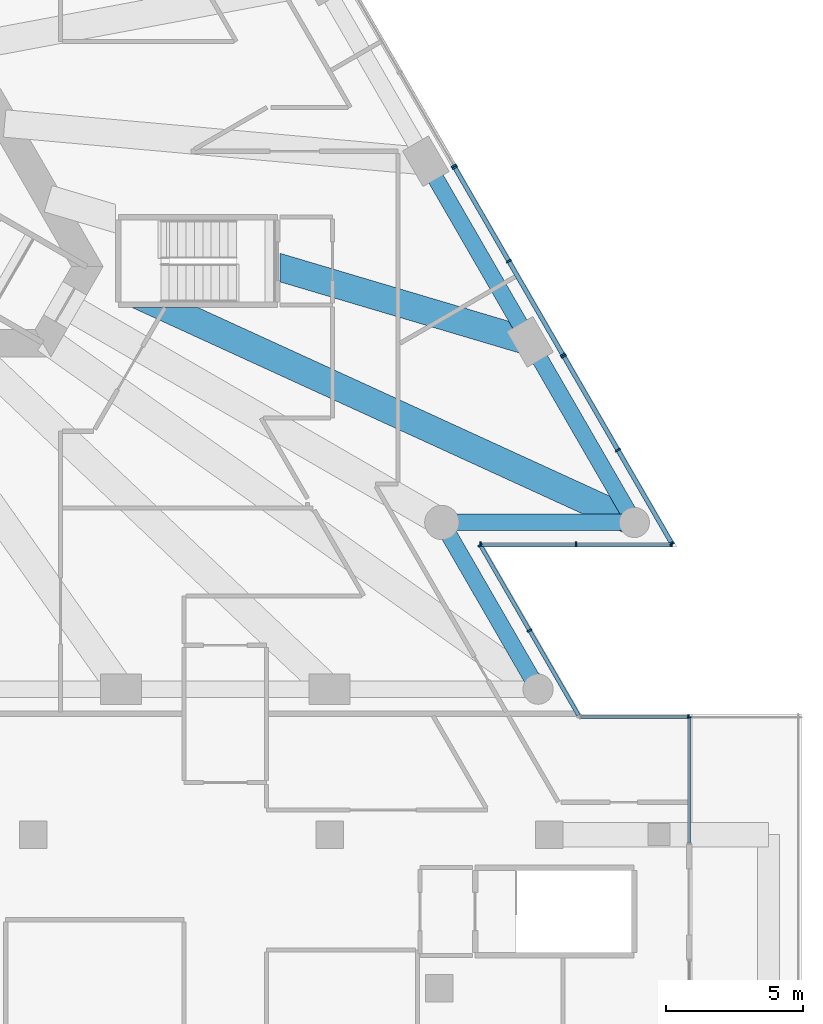
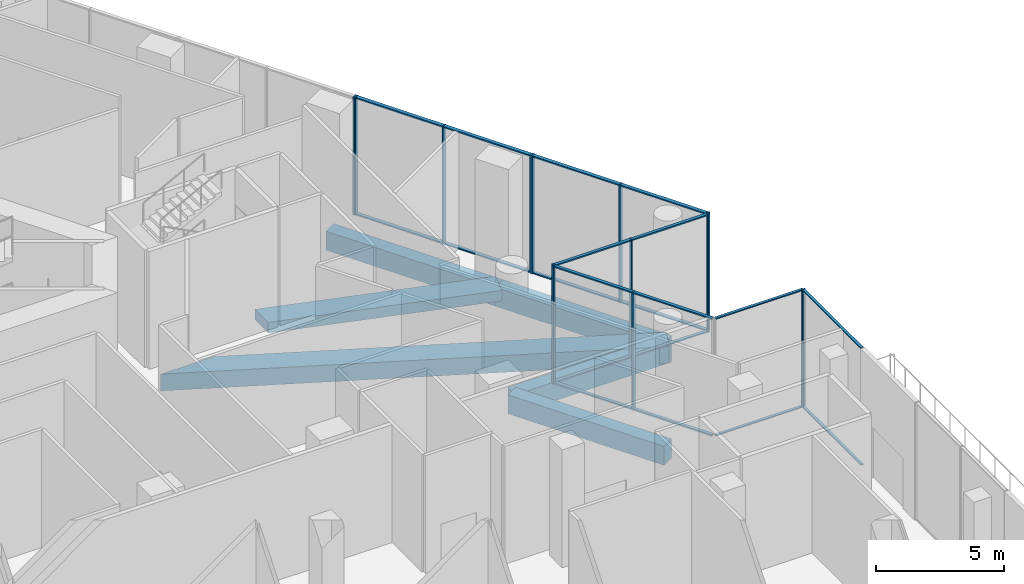
# One storey, part 14 of 36: 34 members, 6 beams, 7 elements without a shape of their own.
"""IFC4 building model written with IfcOpenShell, lengths in metres."""

from ifc_helpers import new_model, si_unit, direction, frame, origin, origin_2d, place, context, subcontext, project, spatial, rectangle, extrude, clip, halfspace, material, layer, layer_set, material_profile, profile_set, type_object, element, aggregate, save


model = new_model("IFC4")

# Units and contexts
model_context = context("Model", 3, precision=1e-05, world=origin(), true_north=direction((0.0, 1.0)))
body_context = subcontext(model_context, "Body", "Model", "MODEL_VIEW")
ifc_project = project(units=[si_unit("LENGTHUNIT", "METRE"), si_unit("AREAUNIT", "SQUARE_METRE"), si_unit("VOLUMEUNIT", "CUBIC_METRE"), si_unit("PLANEANGLEUNIT", "RADIAN"), si_unit("MASSUNIT", "GRAM", prefix="KILO")], contexts=[model_context])

# Site, building, storey
site_placement = place(None, origin())
site = spatial("IfcSite", under=ifc_project, at=site_placement, CompositionType="ELEMENT")
building_placement = place(site_placement, origin())
building = spatial("IfcBuilding", under=site, at=building_placement, Name="Triada Interchange Tower", CompositionType="ELEMENT")
storey_placement = place(building_placement, frame((0.0, 0.0, 8.5)))
storey = spatial("IfcBuildingStorey", under=building, at=storey_placement, Name="L01", CompositionType="ELEMENT", Elevation=8.5)

# Curtain wall, members
ifc_material_1 = material(Name="Aluminium framed glazing", Category="aluminium")
ifc_layer_1 = layer(ifc_material_1, 0.199951171875)
ifc_layer_set_1 = layer_set([ifc_layer_1], Name="Curtain wall Concourse glazed screen")
curtain_wall_type_1 = type_object("IfcCurtainWallType", Name="Curtain wall Concourse glazed screen", PredefinedType="NOTDEFINED", material=ifc_layer_set_1)
curtain_wall_1_placement = place(storey_placement, origin())
curtain_wall_1 = element("IfcCurtainWall", 1, at=curtain_wall_1_placement, inside=storey, type_object=curtain_wall_type_1, Name="Concourse glazed screen CW017 L01", PredefinedType="NOTDEFINED")
ifc_material_2 = material(Name="Aluminium", Category="aluminium")
ifc_material_profile_1 = material_profile(ifc_material_2, rectangle(XDim=0.199951171875, YDim=0.06005859375, at=origin_2d()), Name="Aluminium mullion")
ifc_profile_set_1 = profile_set([ifc_material_profile_1], Name="Aluminium")
member_type_1 = type_object("IfcMemberType", Name="Mullion Concourse glazed screen 200x60", PredefinedType="MULLION", material=ifc_profile_set_1)
member_1_placement = place(storey_placement, frame((35.276123046875, -16.299072265625, 0.0), z_axis=(0.0, 0.0, 1.0), x_axis=(-0.86604927658, -0.499958648825, 0.0)))
member_1 = element("IfcMember", 2, at=member_1_placement, type_object=member_type_1, Name="CW017 mullion 1", PredefinedType="MULLION", context=body_context, shape_type="SweptSolid", body=[
    extrude(rectangle(XDim=0.199951171875, YDim=0.06005859375, at=origin_2d()), origin(), (0.0, 0.0, 1.0), 5.60009765625),
])
member_2_placement = place(storey_placement, frame((33.305908203125, -12.886474609375, 0.0), z_axis=(0.0, 0.0, 1.0), x_axis=(-0.86604927658, -0.499958648825, 0.0)))
member_2 = element("IfcMember", 3, at=member_2_placement, type_object=member_type_1, Name="CW017 mullion 2", PredefinedType="MULLION", context=body_context, shape_type="SweptSolid", body=[
    extrude(rectangle(XDim=0.199951171875, YDim=0.06005859375, at=origin_2d()), origin(), (0.0, 0.0, 1.0), 5.60009765625),
])
member_3_placement = place(storey_placement, frame((31.3359375, -9.473876953125, 0.0), z_axis=(0.0, 0.0, 1.0), x_axis=(-0.86604927658, -0.499958648825, 0.0)))
member_3 = element("IfcMember", 4, at=member_3_placement, type_object=member_type_1, Name="CW017 mullion 3", PredefinedType="MULLION", context=body_context, shape_type="SweptSolid", body=[
    extrude(rectangle(XDim=0.199951171875, YDim=0.06005859375, at=origin_2d()), origin(), (0.0, 0.0, 1.0), 5.60009765625),
])

curtain_wall_2_placement = place(storey_placement, origin())
curtain_wall_2 = element("IfcCurtainWall", 5, at=curtain_wall_2_placement, inside=storey, type_object=curtain_wall_type_1, Name="Concourse glazed screen CW018 L01", PredefinedType="NOTDEFINED")
member_4_placement = place(storey_placement, frame((31.300048828125, -9.4130859375, 0.0), z_axis=(0.0, 0.0, 1.0), x_axis=(-0.866055473648, -0.499947913852, 0.0)))
member_4 = element("IfcMember", 6, at=member_4_placement, type_object=member_type_1, Name="CW018 mullion 1", PredefinedType="MULLION", context=body_context, shape_type="SweptSolid", body=[
    extrude(rectangle(XDim=0.199951171875, YDim=0.06005859375, at=origin_2d()), origin(), (0.0, 0.0, 1.0), 5.60009765625),
])
member_5_placement = place(storey_placement, frame((29.33154296875, -6.0029296875, 0.0), z_axis=(0.0, 0.0, 1.0), x_axis=(-0.866055473648, -0.499947913852, 0.0)))
member_5 = element("IfcMember", 7, at=member_5_placement, type_object=member_type_1, Name="CW018 mullion 2", PredefinedType="MULLION", context=body_context, shape_type="SweptSolid", body=[
    extrude(rectangle(XDim=0.199951171875, YDim=0.06005859375, at=origin_2d()), origin(), (0.0, 0.0, 1.0), 5.60009765625),
])
member_6_placement = place(storey_placement, frame((27.363037109375, -2.593017578125, 0.0), z_axis=(0.0, 0.0, 1.0), x_axis=(-0.866055473648, -0.499947913852, 0.0)))
member_6 = element("IfcMember", 8, at=member_6_placement, type_object=member_type_1, Name="CW018 mullion 3", PredefinedType="MULLION", context=body_context, shape_type="SweptSolid", body=[
    extrude(rectangle(XDim=0.199951171875, YDim=0.06005859375, at=origin_2d()), origin(), (0.0, 0.0, 1.0), 5.60009765625),
])

# Curtain wall, member
curtain_wall_3_placement = place(storey_placement, origin())
curtain_wall_3 = element("IfcCurtainWall", 9, at=curtain_wall_3_placement, inside=storey, type_object=curtain_wall_type_1, Name="Concourse glazed screen CW019 L01", PredefinedType="NOTDEFINED")
member_7_placement = place(storey_placement, frame((27.326904296875, -2.531982421875, 0.0), z_axis=(0.0, 0.0, 1.0), x_axis=(-0.866055473648, -0.499947913852, 0.0)))
member_7 = element("IfcMember", 10, at=member_7_placement, type_object=member_type_1, Name="CW019 mullion 1", PredefinedType="MULLION", context=body_context, shape_type="SweptSolid", body=[
    extrude(rectangle(XDim=0.199951171875, YDim=0.06005859375, at=origin_2d()), origin(), (0.0, 0.0, 1.0), 5.60009765625),
])
aggregate(curtain_wall_3, [member_7])

ifc_layer_2 = layer(ifc_material_1, 0.199951171875)
ifc_layer_set_2 = layer_set([ifc_layer_2], Name="Curtain wall Retail shopfront")
curtain_wall_type_2 = type_object("IfcCurtainWallType", Name="Curtain wall Retail shopfront", PredefinedType="NOTDEFINED", material=ifc_layer_set_2)
curtain_wall_4_placement = place(storey_placement, origin())
curtain_wall_4 = element("IfcCurtainWall", 11, at=curtain_wall_4_placement, inside=storey, type_object=curtain_wall_type_2, Name="Retail shopfront CW013 L01", PredefinedType="NOTDEFINED")
ifc_material_profile_2 = material_profile(ifc_material_2, rectangle(XDim=0.14990234375, YDim=0.050048828125, at=origin_2d()), Name="Aluminium mullion")
ifc_profile_set_2 = profile_set([ifc_material_profile_2], Name="Aluminium")
member_type_2 = type_object("IfcMemberType", Name="Mullion Retail shopfront 150x50", PredefinedType="MULLION", material=ifc_profile_set_2)
member_8_placement = place(storey_placement, frame((35.89990234375, -22.625, 0.0), z_axis=(0.0, 0.0, 1.0), x_axis=(-1.0, 0.0, 0.0)))
member_8 = element("IfcMember", 12, at=member_8_placement, type_object=member_type_2, Name="CW013 mullion 2", PredefinedType="MULLION", context=body_context, shape_type="SweptSolid", body=[
    extrude(rectangle(XDim=0.14990234375, YDim=0.050048828125, at=origin_2d()), origin(), (0.0, 0.0, 1.0), 5.60009765625),
])

curtain_wall_5_placement = place(storey_placement, origin())
curtain_wall_5 = element("IfcCurtainWall", 13, at=curtain_wall_5_placement, inside=storey, type_object=curtain_wall_type_2, Name="Retail shopfront CW014 L01", PredefinedType="NOTDEFINED")
member_9_placement = place(storey_placement, frame((35.875, -22.60009765625, 0.0), z_axis=(0.0, 0.0, 1.0), x_axis=(0.0, -1.0, 0.0)))
member_9 = element("IfcMember", 14, at=member_9_placement, type_object=member_type_2, Name="CW014 mullion 1", PredefinedType="MULLION", context=body_context, shape_type="SweptSolid", body=[
    extrude(rectangle(XDim=0.14990234375, YDim=0.050048828125, at=origin_2d()), origin(), (0.0, 0.0, 1.0), 5.60009765625),
])

# Curtain wall, members
ifc_layer_3 = layer(ifc_material_1, 0.199951171875)
ifc_layer_set_3 = layer_set([ifc_layer_3], Name="Curtain wall Tower lobby glazing")
curtain_wall_type_3 = type_object("IfcCurtainWallType", Name="Curtain wall Tower lobby glazing", PredefinedType="NOTDEFINED", material=ifc_layer_set_3)
curtain_wall_6_placement = place(storey_placement, origin())
curtain_wall_6 = element("IfcCurtainWall", 15, at=curtain_wall_6_placement, inside=storey, type_object=curtain_wall_type_3, Name="Tower lobby glazing CW015 L01", PredefinedType="NOTDEFINED")
ifc_material_profile_3 = material_profile(ifc_material_2, rectangle(XDim=0.179931640625, YDim=0.06005859375, at=origin_2d()), Name="Aluminium mullion")
ifc_profile_set_3 = profile_set([ifc_material_profile_3], Name="Aluminium")
member_type_3 = type_object("IfcMemberType", Name="Mullion Tower lobby glazing 180x60", PredefinedType="MULLION", material=ifc_profile_set_3)
member_10_placement = place(storey_placement, frame((30.0869140625, -19.46240234375, 0.0), z_axis=(0.0, 0.0, 1.0), x_axis=(-0.866077569894, -0.499909634761, 0.0)))
member_10 = element("IfcMember", 16, at=member_10_placement, type_object=member_type_3, Name="CW015 mullion 2", PredefinedType="MULLION", context=body_context, shape_type="SweptSolid", body=[
    extrude(rectangle(XDim=0.179931640625, YDim=0.06005859375, at=origin_2d()), origin(), (0.0, 0.0, 1.0), 5.60009765625),
])
member_11_placement = place(storey_placement, frame((28.291015625, -16.35107421875, 0.0), z_axis=(0.0, 0.0, 1.0), x_axis=(-0.866077569894, -0.499909634761, 0.0)))
member_11 = element("IfcMember", 17, at=member_11_placement, type_object=member_type_3, Name="CW015 mullion 3", PredefinedType="MULLION", context=body_context, shape_type="SweptSolid", body=[
    extrude(rectangle(XDim=0.179931640625, YDim=0.06005859375, at=origin_2d()), origin(), (0.0, 0.0, 1.0), 5.60009765625),
])

curtain_wall_7_placement = place(storey_placement, origin())
curtain_wall_7 = element("IfcCurtainWall", 18, at=curtain_wall_7_placement, inside=storey, type_object=curtain_wall_type_3, Name="Tower lobby glazing CW016 L01", PredefinedType="NOTDEFINED")
member_12_placement = place(storey_placement, frame((28.305908203125, -16.324951171875, 0.0), z_axis=(0.0, 0.0, 1.0), x_axis=(0.0, 1.0, 0.0)))
member_12 = element("IfcMember", 19, at=member_12_placement, type_object=member_type_3, Name="CW016 mullion 1", PredefinedType="MULLION", context=body_context, shape_type="SweptSolid", body=[
    extrude(rectangle(XDim=0.179931640625, YDim=0.06005859375, at=origin_2d()), origin(), (0.0, 0.0, 1.0), 5.60009765625),
])
member_13_placement = place(storey_placement, frame((31.783447265625, -16.324951171875, 0.0), z_axis=(0.0, 0.0, 1.0), x_axis=(0.0, 1.0, 0.0)))
member_13 = element("IfcMember", 20, at=member_13_placement, type_object=member_type_3, Name="CW016 mullion 2", PredefinedType="MULLION", context=body_context, shape_type="SweptSolid", body=[
    extrude(rectangle(XDim=0.179931640625, YDim=0.06005859375, at=origin_2d()), origin(), (0.0, 0.0, 1.0), 5.60009765625),
])
member_14_placement = place(storey_placement, frame((35.260986328125, -16.324951171875, 0.0), z_axis=(0.0, 0.0, 1.0), x_axis=(0.0, 1.0, 0.0)))
member_14 = element("IfcMember", 21, at=member_14_placement, type_object=member_type_3, Name="CW016 mullion 3", PredefinedType="MULLION", context=body_context, shape_type="SweptSolid", body=[
    extrude(rectangle(XDim=0.179931640625, YDim=0.06005859375, at=origin_2d()), origin(), (0.0, 0.0, 1.0), 5.60009765625),
])

# Beams
ifc_material_3 = material(Name="Concrete C50/60", Category="concrete")
ifc_material_profile_4 = material_profile(ifc_material_3, rectangle(XDim=1.0, YDim=0.5, at=origin_2d()), Name="RC 1000x500")
ifc_profile_set_4 = profile_set([ifc_material_profile_4], Name="Concrete C50/60")
beam_type_1 = type_object("IfcBeamType", Name="Radial band beam P RC 1000x500", PredefinedType="BEAM", material=ifc_profile_set_4)
beam_1_placement = place(storey_placement, frame((30.10498046875, -8.944091796875, -0.64990234375), z_axis=(-0.958593857604, 0.284776783049, 0.0), x_axis=(-0.284776783049, -0.958593857604, 0.0)))
element("IfcBeam", 22, at=beam_1_placement, inside=storey, type_object=beam_type_1, Name="Radial band beam BP22A L01", PredefinedType="BEAM", context=body_context, shape_type="Clipping", body=[
    clip(extrude(rectangle(XDim=1.0, YDim=0.5, at=origin_2d()), origin(), (0.0, 0.0, 1.0), 10.998291015625), halfspace(frame((-1.85888671875, -7.85009765625, 10.050537109375), z_axis=(0.284776783049, 0.0, 0.958593857604), x_axis=(0.0, -1.0, 0.0)), False)),
])
ifc_material_profile_5 = material_profile(ifc_material_3, rectangle(XDim=1.0, YDim=0.800048828125, at=origin_2d()), Name="RC 1000x800")
ifc_profile_set_5 = profile_set([ifc_material_profile_5], Name="Concrete C50/60")
beam_type_2 = type_object("IfcBeamType", Name="Radial band beam P RC 1000x800", PredefinedType="BEAM", material=ifc_profile_set_5)
beam_2_placement = place(storey_placement, frame((33.905029296875, -15.52490234375, -0.800048828125), z_axis=(-0.909200707798, 0.41635810661, 0.0), x_axis=(-0.41635810661, -0.909200707798, 0.0)))
element("IfcBeam", 23, at=beam_2_placement, inside=storey, type_object=beam_type_2, Name="Radial band beam BP21A L01", PredefinedType="BEAM", context=body_context, shape_type="Clipping", body=[
    clip(extrude(rectangle(XDim=1.0, YDim=0.800048828125, at=origin_2d()), origin(), (0.0, 0.0, 1.0), 20.294921875), halfspace(frame((-1.741455078125, -7.699951171875, 14.9912109375), z_axis=(-0.909200707798, 0.0, 0.41635810661), x_axis=(0.0, 1.0, 0.0)), False)),
])
ifc_material_profile_6 = material_profile(ifc_material_3, rectangle(XDim=0.60009765625, YDim=0.89990234375, at=origin_2d()), Name="RC 600x900")
ifc_profile_set_6 = profile_set([ifc_material_profile_6], Name="Concrete C50/60")
beam_type_3 = type_object("IfcBeamType", Name="Spandrel beam P RC 600x900", PredefinedType="BEAM", material=ifc_profile_set_6)
beam_3_placement = place(storey_placement, frame((30.39697265625, -21.60009765625, -0.85009765625), z_axis=(-0.499953429515, 0.866052289597, 0.0), x_axis=(-0.866052289597, -0.499953429515, 0.0)))
element("IfcBeam", 24, at=beam_3_placement, inside=storey, type_object=beam_type_3, Name="Spandrel beam EP19 L01", PredefinedType="BEAM", context=body_context, shape_type="SweptSolid", body=[
    extrude(rectangle(XDim=0.60009765625, YDim=0.89990234375, at=origin_2d()), origin(), (0.0, 0.0, 1.0), 7.014892578125),
])
beam_4_placement = place(storey_placement, frame((26.889892578125, -15.52490234375, -0.85009765625), z_axis=(1.0, 0.0, 0.0), x_axis=(0.0, 1.0, 0.0)))
element("IfcBeam", 25, at=beam_4_placement, inside=storey, type_object=beam_type_3, Name="Spandrel beam EP20 L01", PredefinedType="BEAM", context=body_context, shape_type="SweptSolid", body=[
    extrude(rectangle(XDim=0.60009765625, YDim=0.89990234375, at=origin_2d()), origin(), (0.0, 0.0, 1.0), 7.01513671875),
])
beam_5_placement = place(storey_placement, frame((33.905029296875, -15.52490234375, -0.85009765625), z_axis=(-0.500060803479, 0.865990296034, 0.0), x_axis=(-0.865990296034, -0.500060803479, 0.0)))
element("IfcBeam", 26, at=beam_5_placement, inside=storey, type_object=beam_type_3, Name="Spandrel beam EP21 L01", PredefinedType="BEAM", context=body_context, shape_type="SweptSolid", body=[
    extrude(rectangle(XDim=0.60009765625, YDim=0.89990234375, at=origin_2d()), origin(), (0.0, 0.0, 1.0), 7.59912109375),
])
beam_6_placement = place(storey_placement, frame((30.10498046875, -8.944091796875, -0.85009765625), z_axis=(-0.499950508799, 0.866053975657, 0.0), x_axis=(-0.866053975657, -0.499950508799, 0.0)))
element("IfcBeam", 27, at=beam_6_placement, inside=storey, type_object=beam_type_3, Name="Spandrel beam EP22 L01", PredefinedType="BEAM", context=body_context, shape_type="SweptSolid", body=[
    extrude(rectangle(XDim=0.60009765625, YDim=0.89990234375, at=origin_2d()), origin(), (0.0, 0.0, 1.0), 7.598876953125),
])

# Member
ifc_material_profile_7 = material_profile(ifc_material_2, rectangle(XDim=0.159912109375, YDim=0.06005859375, at=origin_2d()), Name="Aluminium transom")
ifc_profile_set_7 = profile_set([ifc_material_profile_7], Name="Aluminium")
member_type_4 = type_object("IfcMemberType", Name="Transom Concourse glazed screen 160x60", PredefinedType="USERDEFINED", material=ifc_profile_set_7)
member_15_placement = place(storey_placement, frame((35.260986328125, -16.27294921875, 0.030029296875), z_axis=(-0.499969367985, 0.866043088465, 0.0), x_axis=(-0.866043088465, -0.499969367985, 0.0)))
member_15 = element("IfcMember", 28, at=member_15_placement, type_object=member_type_4, Name="CW017 transom 1.1", ObjectType="TRANSOM", PredefinedType="USERDEFINED", context=body_context, shape_type="SweptSolid", body=[
    extrude(rectangle(XDim=0.159912109375, YDim=0.06005859375, at=origin_2d()), origin(), (0.0, 0.0, 1.0), 3.880126953125),
])

member_16_placement = place(storey_placement, frame((35.260986328125, -16.27294921875, 5.570068359375), z_axis=(-0.499969367985, 0.866043088465, 0.0), x_axis=(-0.866043088465, -0.499969367985, 0.0)))
member_16 = element("IfcMember", 29, at=member_16_placement, type_object=member_type_4, Name="CW017 transom 1.2", ObjectType="TRANSOM", PredefinedType="USERDEFINED", context=body_context, shape_type="SweptSolid", body=[
    extrude(rectangle(XDim=0.159912109375, YDim=0.06005859375, at=origin_2d()), origin(), (0.0, 0.0, 1.0), 3.880126953125),
])

member_17_placement = place(storey_placement, frame((33.291015625, -12.860595703125, 0.030029296875), z_axis=(-0.499942124791, 0.866058815473, 0.0), x_axis=(-0.866058815473, -0.499942124791, 0.0)))
member_17 = element("IfcMember", 30, at=member_17_placement, type_object=member_type_4, Name="CW017 transom 2.1", ObjectType="TRANSOM", PredefinedType="USERDEFINED", context=body_context, shape_type="SweptSolid", body=[
    extrude(rectangle(XDim=0.159912109375, YDim=0.06005859375, at=origin_2d()), origin(), (0.0, 0.0, 1.0), 3.88037109375),
])

member_18_placement = place(storey_placement, frame((33.291015625, -12.860595703125, 5.570068359375), z_axis=(-0.499942124791, 0.866058815473, 0.0), x_axis=(-0.866058815473, -0.499942124791, 0.0)))
member_18 = element("IfcMember", 31, at=member_18_placement, type_object=member_type_4, Name="CW017 transom 2.2", ObjectType="TRANSOM", PredefinedType="USERDEFINED", context=body_context, shape_type="SweptSolid", body=[
    extrude(rectangle(XDim=0.159912109375, YDim=0.06005859375, at=origin_2d()), origin(), (0.0, 0.0, 1.0), 3.88037109375),
])

aggregate(curtain_wall_1, [member_1, member_2, member_3, member_15, member_16, member_17, member_18])

member_19_placement = place(storey_placement, frame((31.284912109375, -9.386962890625, 0.030029296875), z_axis=(-0.499958648831, 0.866049276577, 0.0), x_axis=(-0.866049276577, -0.499958648831, 0.0)))
member_19 = element("IfcMember", 32, at=member_19_placement, type_object=member_type_4, Name="CW018 transom 1.1", ObjectType="TRANSOM", PredefinedType="USERDEFINED", context=body_context, shape_type="SweptSolid", body=[
    extrude(rectangle(XDim=0.159912109375, YDim=0.06005859375, at=origin_2d()), origin(), (0.0, 0.0, 1.0), 3.877197265625),
])

member_20_placement = place(storey_placement, frame((31.284912109375, -9.386962890625, 5.570068359375), z_axis=(-0.499958648831, 0.866049276577, 0.0), x_axis=(-0.866049276577, -0.499958648831, 0.0)))
member_20 = element("IfcMember", 33, at=member_20_placement, type_object=member_type_4, Name="CW018 transom 1.2", ObjectType="TRANSOM", PredefinedType="USERDEFINED", context=body_context, shape_type="SweptSolid", body=[
    extrude(rectangle(XDim=0.159912109375, YDim=0.06005859375, at=origin_2d()), origin(), (0.0, 0.0, 1.0), 3.877197265625),
])

member_21_placement = place(storey_placement, frame((29.31640625, -5.97705078125, 0.030029296875), z_axis=(-0.499931386026, 0.866065014457, 0.0), x_axis=(-0.866065014457, -0.499931386026, 0.0)))
member_21 = element("IfcMember", 34, at=member_21_placement, type_object=member_type_4, Name="CW018 transom 2.1", ObjectType="TRANSOM", PredefinedType="USERDEFINED", context=body_context, shape_type="SweptSolid", body=[
    extrude(rectangle(XDim=0.159912109375, YDim=0.06005859375, at=origin_2d()), origin(), (0.0, 0.0, 1.0), 3.87744140625),
])

member_22_placement = place(storey_placement, frame((29.31640625, -5.97705078125, 5.570068359375), z_axis=(-0.499931386026, 0.866065014457, 0.0), x_axis=(-0.866065014457, -0.499931386026, 0.0)))
member_22 = element("IfcMember", 35, at=member_22_placement, type_object=member_type_4, Name="CW018 transom 2.2", ObjectType="TRANSOM", PredefinedType="USERDEFINED", context=body_context, shape_type="SweptSolid", body=[
    extrude(rectangle(XDim=0.159912109375, YDim=0.06005859375, at=origin_2d()), origin(), (0.0, 0.0, 1.0), 3.87744140625),
])

aggregate(curtain_wall_2, [member_4, member_5, member_6, member_19, member_20, member_21, member_22])

ifc_material_profile_8 = material_profile(ifc_material_2, rectangle(XDim=0.1201171875, YDim=0.050048828125, at=origin_2d()), Name="Aluminium transom")
ifc_profile_set_8 = profile_set([ifc_material_profile_8], Name="Aluminium")
member_type_5 = type_object("IfcMemberType", Name="Transom Retail shopfront 120x50", PredefinedType="USERDEFINED", material=ifc_profile_set_8)
member_23_placement = place(storey_placement, frame((35.89990234375, -27.199951171875, 0.02490234375), z_axis=(0.0, 1.0, 0.0), x_axis=(-1.0, 0.0, 0.0)))
member_23 = element("IfcMember", 36, at=member_23_placement, type_object=member_type_5, Name="CW013 transom 1.1", ObjectType="TRANSOM", PredefinedType="USERDEFINED", context=body_context, shape_type="SweptSolid", body=[
    extrude(rectangle(XDim=0.1201171875, YDim=0.050048828125, at=origin_2d()), origin(), (0.0, 0.0, 1.0), 4.550048828125),
])

member_24_placement = place(storey_placement, frame((35.89990234375, -27.199951171875, 5.574951171875), z_axis=(0.0, 1.0, 0.0), x_axis=(-1.0, 0.0, 0.0)))
member_24 = element("IfcMember", 37, at=member_24_placement, type_object=member_type_5, Name="CW013 transom 1.2", ObjectType="TRANSOM", PredefinedType="USERDEFINED", context=body_context, shape_type="SweptSolid", body=[
    extrude(rectangle(XDim=0.1201171875, YDim=0.050048828125, at=origin_2d()), origin(), (0.0, 0.0, 1.0), 4.550048828125),
])

aggregate(curtain_wall_4, [member_8, member_23, member_24])

member_25_placement = place(storey_placement, frame((35.85009765625, -22.60009765625, 0.02490234375), z_axis=(-1.0, 0.0, 0.0), x_axis=(0.0, -1.0, 0.0)))
member_25 = element("IfcMember", 38, at=member_25_placement, type_object=member_type_5, Name="CW014 transom 1.1", ObjectType="TRANSOM", PredefinedType="USERDEFINED", context=body_context, shape_type="SweptSolid", body=[
    extrude(rectangle(XDim=0.1201171875, YDim=0.050048828125, at=origin_2d()), origin(), (0.0, 0.0, 1.0), 3.902099609375),
])

member_26_placement = place(storey_placement, frame((35.85009765625, -22.60009765625, 5.574951171875), z_axis=(-1.0, 0.0, 0.0), x_axis=(0.0, -1.0, 0.0)))
member_26 = element("IfcMember", 39, at=member_26_placement, type_object=member_type_5, Name="CW014 transom 1.2", ObjectType="TRANSOM", PredefinedType="USERDEFINED", context=body_context, shape_type="SweptSolid", body=[
    extrude(rectangle(XDim=0.1201171875, YDim=0.050048828125, at=origin_2d()), origin(), (0.0, 0.0, 1.0), 3.902099609375),
])

aggregate(curtain_wall_5, [member_9, member_25, member_26])

ifc_material_profile_9 = material_profile(ifc_material_2, rectangle(XDim=0.139892578125, YDim=0.06005859375, at=origin_2d()), Name="Aluminium transom")
ifc_profile_set_9 = profile_set([ifc_material_profile_9], Name="Aluminium")
member_type_6 = type_object("IfcMemberType", Name="Transom Tower lobby glazing 140x60", PredefinedType="USERDEFINED", material=ifc_profile_set_9)
member_27_placement = place(storey_placement, frame((31.867919921875, -22.548095703125, 0.030029296875), z_axis=(-0.499878002131, 0.866095827831, 0.0), x_axis=(-0.866095827831, -0.499878002131, 0.0)))
member_27 = element("IfcMember", 40, at=member_27_placement, type_object=member_type_6, Name="CW015 transom 1.1", ObjectType="TRANSOM", PredefinedType="USERDEFINED", context=body_context, shape_type="SweptSolid", body=[
    extrude(rectangle(XDim=0.139892578125, YDim=0.06005859375, at=origin_2d()), origin(), (0.0, 0.0, 1.0), 3.53271484375),
])

member_28_placement = place(storey_placement, frame((31.867919921875, -22.548095703125, 5.570068359375), z_axis=(-0.499878002131, 0.866095827831, 0.0), x_axis=(-0.866095827831, -0.499878002131, 0.0)))
member_28 = element("IfcMember", 41, at=member_28_placement, type_object=member_type_6, Name="CW015 transom 1.2", ObjectType="TRANSOM", PredefinedType="USERDEFINED", context=body_context, shape_type="SweptSolid", body=[
    extrude(rectangle(XDim=0.139892578125, YDim=0.06005859375, at=origin_2d()), origin(), (0.0, 0.0, 1.0), 3.53271484375),
])

member_29_placement = place(storey_placement, frame((30.072021484375, -19.4365234375, 0.030029296875), z_axis=(-0.499929840932, 0.866065906352, 0.0), x_axis=(-0.866065906352, -0.499929840932, 0.0)))
member_29 = element("IfcMember", 42, at=member_29_placement, type_object=member_type_6, Name="CW015 transom 2.1", ObjectType="TRANSOM", PredefinedType="USERDEFINED", context=body_context, shape_type="SweptSolid", body=[
    extrude(rectangle(XDim=0.139892578125, YDim=0.06005859375, at=origin_2d()), origin(), (0.0, 0.0, 1.0), 3.53271484375),
])

member_30_placement = place(storey_placement, frame((30.072021484375, -19.4365234375, 5.570068359375), z_axis=(-0.499929840932, 0.866065906352, 0.0), x_axis=(-0.866065906352, -0.499929840932, 0.0)))
member_30 = element("IfcMember", 43, at=member_30_placement, type_object=member_type_6, Name="CW015 transom 2.2", ObjectType="TRANSOM", PredefinedType="USERDEFINED", context=body_context, shape_type="SweptSolid", body=[
    extrude(rectangle(XDim=0.139892578125, YDim=0.06005859375, at=origin_2d()), origin(), (0.0, 0.0, 1.0), 3.53271484375),
])

aggregate(curtain_wall_6, [member_10, member_11, member_27, member_28, member_29, member_30])

member_31_placement = place(storey_placement, frame((28.3359375, -16.324951171875, 0.030029296875), z_axis=(1.0, 0.0, 0.0), x_axis=(0.0, 1.0, 0.0)))
member_31 = element("IfcMember", 44, at=member_31_placement, type_object=member_type_6, Name="CW016 transom 1.1", ObjectType="TRANSOM", PredefinedType="USERDEFINED", context=body_context, shape_type="SweptSolid", body=[
    extrude(rectangle(XDim=0.139892578125, YDim=0.06005859375, at=origin_2d()), origin(), (0.0, 0.0, 1.0), 3.41748046875),
])

member_32_placement = place(storey_placement, frame((28.3359375, -16.324951171875, 5.570068359375), z_axis=(1.0, 0.0, 0.0), x_axis=(0.0, 1.0, 0.0)))
member_32 = element("IfcMember", 45, at=member_32_placement, type_object=member_type_6, Name="CW016 transom 1.2", ObjectType="TRANSOM", PredefinedType="USERDEFINED", context=body_context, shape_type="SweptSolid", body=[
    extrude(rectangle(XDim=0.139892578125, YDim=0.06005859375, at=origin_2d()), origin(), (0.0, 0.0, 1.0), 3.41748046875),
])

member_33_placement = place(storey_placement, frame((31.8134765625, -16.324951171875, 0.030029296875), z_axis=(1.0, 0.0, 0.0), x_axis=(0.0, 1.0, 0.0)))
member_33 = element("IfcMember", 46, at=member_33_placement, type_object=member_type_6, Name="CW016 transom 2.1", ObjectType="TRANSOM", PredefinedType="USERDEFINED", context=body_context, shape_type="SweptSolid", body=[
    extrude(rectangle(XDim=0.139892578125, YDim=0.06005859375, at=origin_2d()), origin(), (0.0, 0.0, 1.0), 3.41748046875),
])

member_34_placement = place(storey_placement, frame((31.8134765625, -16.324951171875, 5.570068359375), z_axis=(1.0, 0.0, 0.0), x_axis=(0.0, 1.0, 0.0)))
member_34 = element("IfcMember", 47, at=member_34_placement, type_object=member_type_6, Name="CW016 transom 2.2", ObjectType="TRANSOM", PredefinedType="USERDEFINED", context=body_context, shape_type="SweptSolid", body=[
    extrude(rectangle(XDim=0.139892578125, YDim=0.06005859375, at=origin_2d()), origin(), (0.0, 0.0, 1.0), 3.41748046875),
])

aggregate(curtain_wall_7, [member_12, member_13, member_14, member_31, member_32, member_33, member_34])

save(model, "model.ifc")
